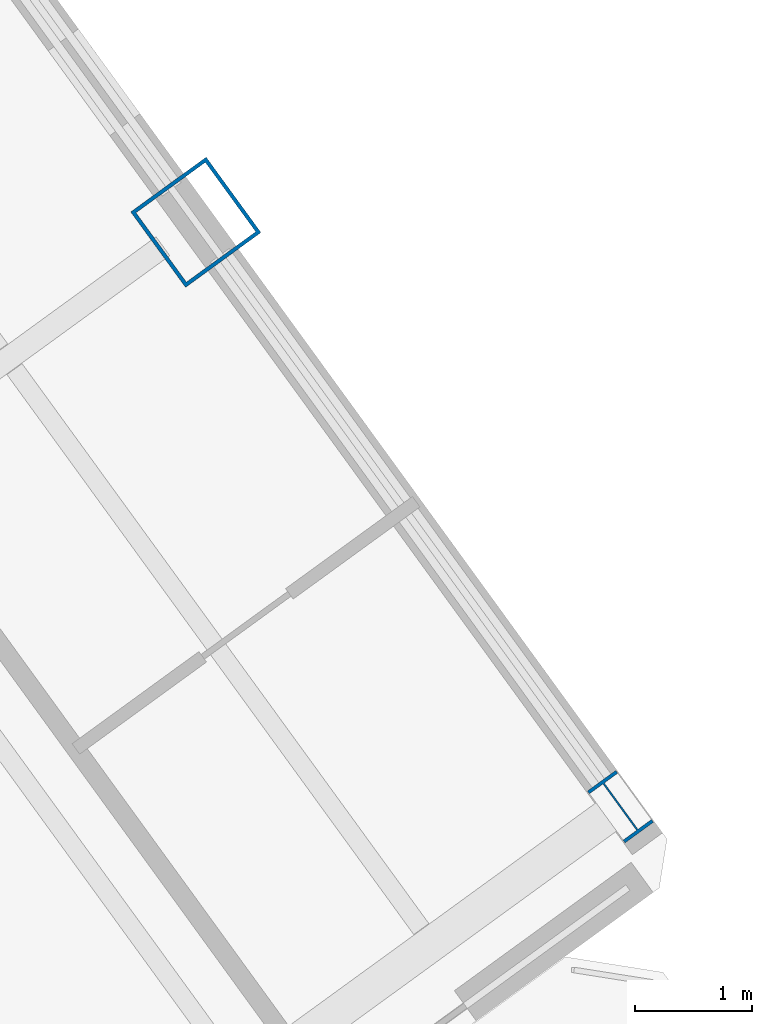
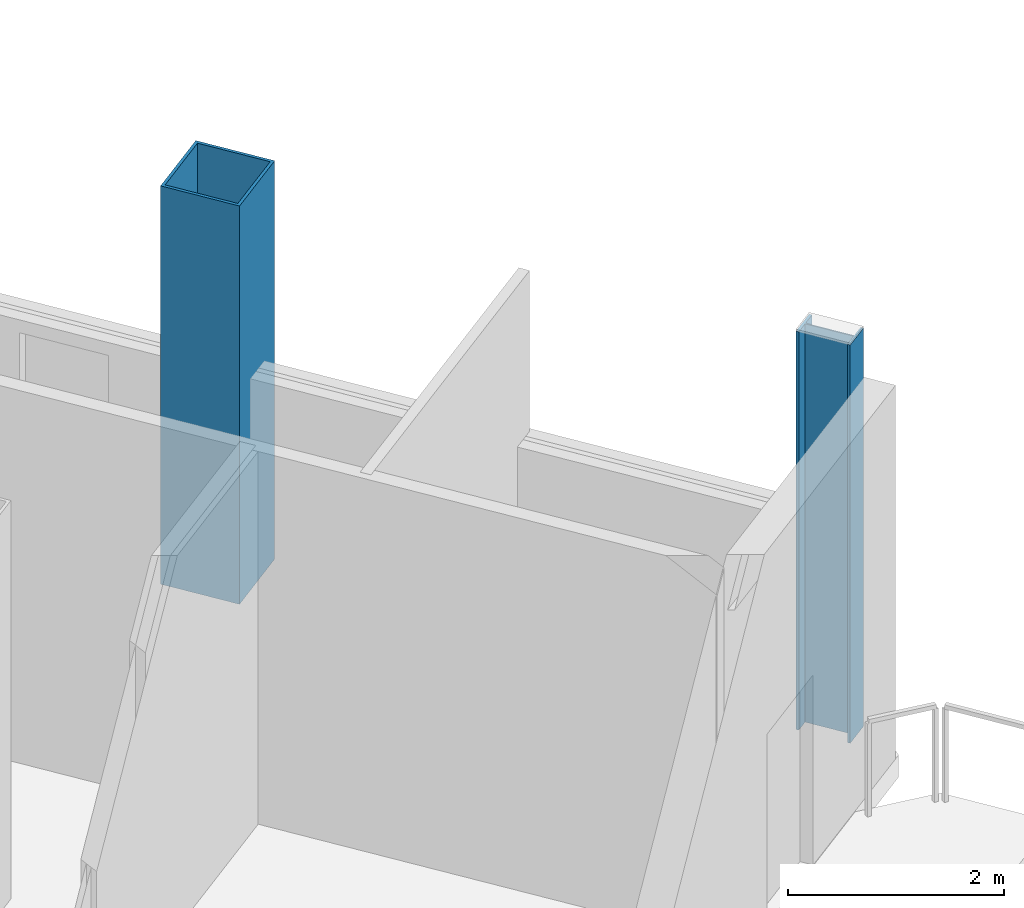
# One storey, part 4 of 34: 2 columns.
"""IFC4 building model written with IfcOpenShell, lengths in metres."""

from ifc_helpers import new_model, si_unit, direction, frame, origin, origin_2d, place, context, subcontext, project, spatial, hollow_rectangle, i_section, extrude, source, transform, mapped, material, material_profile, profile_set, type_object, element, save


model = new_model("IFC4")

# Units and contexts
model_context = context("Model", 3, precision=1e-05, world=origin(), true_north=direction((0.0, 1.0)))
body_context = subcontext(model_context, "Body", "Model", "MODEL_VIEW")
ifc_project = project(units=[si_unit("LENGTHUNIT", "METRE"), si_unit("AREAUNIT", "SQUARE_METRE"), si_unit("VOLUMEUNIT", "CUBIC_METRE"), si_unit("PLANEANGLEUNIT", "RADIAN"), si_unit("MASSUNIT", "GRAM", prefix="KILO")], contexts=[model_context])

# Site, building, storey
site_placement = place(None, origin())
site = spatial("IfcSite", under=ifc_project, at=site_placement, CompositionType="ELEMENT")
building_placement = place(site_placement, origin())
building = spatial("IfcBuilding", under=site, at=building_placement, Name="Tlacorven Tower", CompositionType="ELEMENT")
storey_placement = place(building_placement, frame((0.0, 0.0, 174.89990234375)))
storey = spatial("IfcBuildingStorey", under=building, at=storey_placement, Name="L44", CompositionType="ELEMENT", Elevation=174.89990234375)

# Columns
ifc_material = material(Name="Steel S460M", Category="steel")
ifc_material_profile_1 = material_profile(ifc_material, i_section(OverallWidth=0.300048828125, OverallDepth=0.550048828125, WebThickness=0.014892578125, FlangeThickness=0.029052734375, at=origin_2d()), Name="HEB 550")
ifc_profile_set_1 = profile_set([ifc_material_profile_1], Name="Steel S460M")
column_type_1 = type_object("IfcColumnType", Name="COL-TWR-P2", PredefinedType="COLUMN", material=ifc_profile_set_1)
shared_shape_1 = source(origin(), body_context, "Body", "SweptSolid", [
    extrude(i_section(OverallWidth=0.300048828125, OverallDepth=0.550048828125, WebThickness=0.014892578125, FlangeThickness=0.029052734375, at=origin_2d()), origin(), (0.0, 0.0, 1.0), 4.5),
])
column_1_placement = place(storey_placement, frame((70.911865234375, 18.337646484375, 0.0), z_axis=(0.0, 0.0, 1.0), x_axis=(0.809016994375, 0.587785252292, 0.0)))
element("IfcColumn", 1, at=column_1_placement, inside=storey, type_object=column_type_1, Name="L44 column COL-L44-E4-1", PredefinedType="COLUMN", context=body_context, shape_type="MappedRepresentation", body=[
    mapped(shared_shape_1, transform((0.0, 0.0, 0.0), scale=1.0)),
])
ifc_material_profile_2 = material_profile(ifc_material, hollow_rectangle(XDim=0.800048828125, YDim=0.800048828125, WallThickness=0.031982421875, at=origin_2d()), Name="BOX 800X800X32")
ifc_profile_set_2 = profile_set([ifc_material_profile_2], Name="Steel S460M")
column_type_2 = type_object("IfcColumnType", Name="COL-TWR-S3", PredefinedType="COLUMN", material=ifc_profile_set_2)
shared_shape_2 = source(origin(), body_context, "Body", "SweptSolid", [
    extrude(hollow_rectangle(XDim=0.800048828125, YDim=0.800048828125, WallThickness=0.031982421875, at=origin_2d()), origin(), (0.0, 0.0, 1.0), 4.5),
])
column_2_placement = place(storey_placement, frame((67.267822265625, 23.353515625, 0.0), z_axis=(0.0, 0.0, 1.0), x_axis=(0.809016994375, 0.587785252292, 0.0)))
element("IfcColumn", 2, at=column_2_placement, inside=storey, type_object=column_type_2, Name="L44 column COL-L44-E4-2", PredefinedType="COLUMN", context=body_context, shape_type="MappedRepresentation", body=[
    mapped(shared_shape_2, transform((0.0, 0.0, 0.0), scale=1.0)),
])

save(model, "model.ifc")
